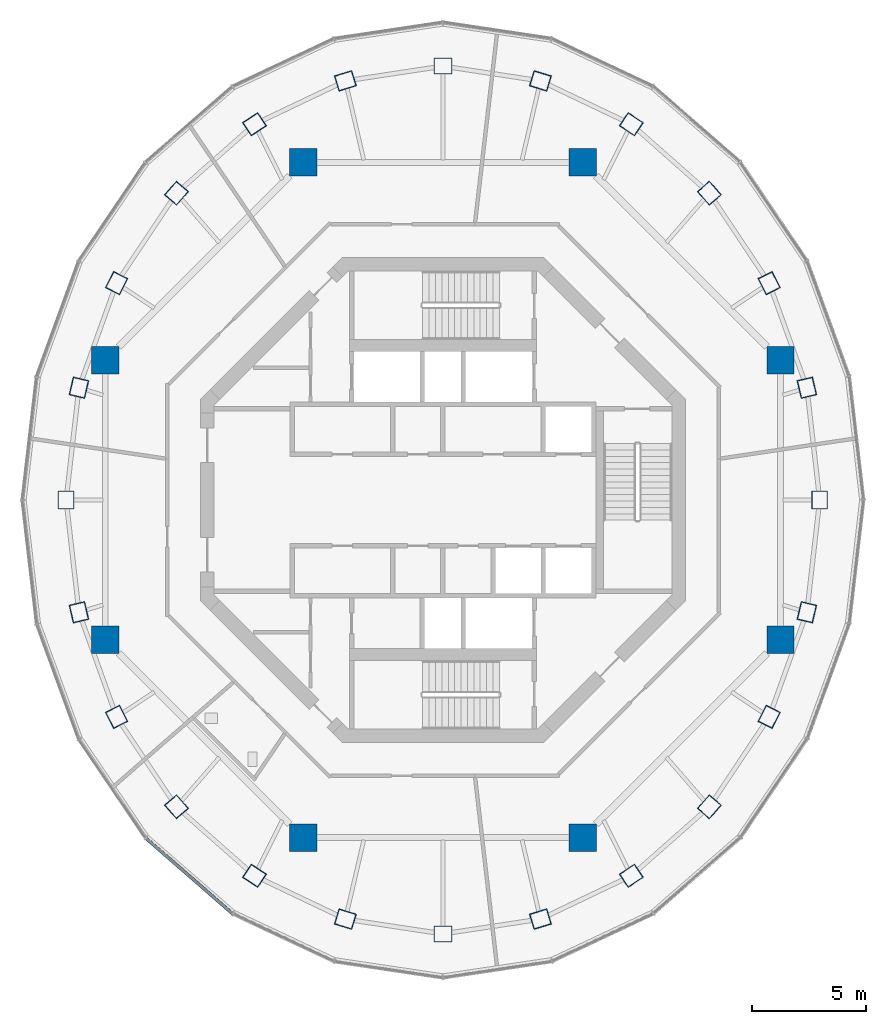
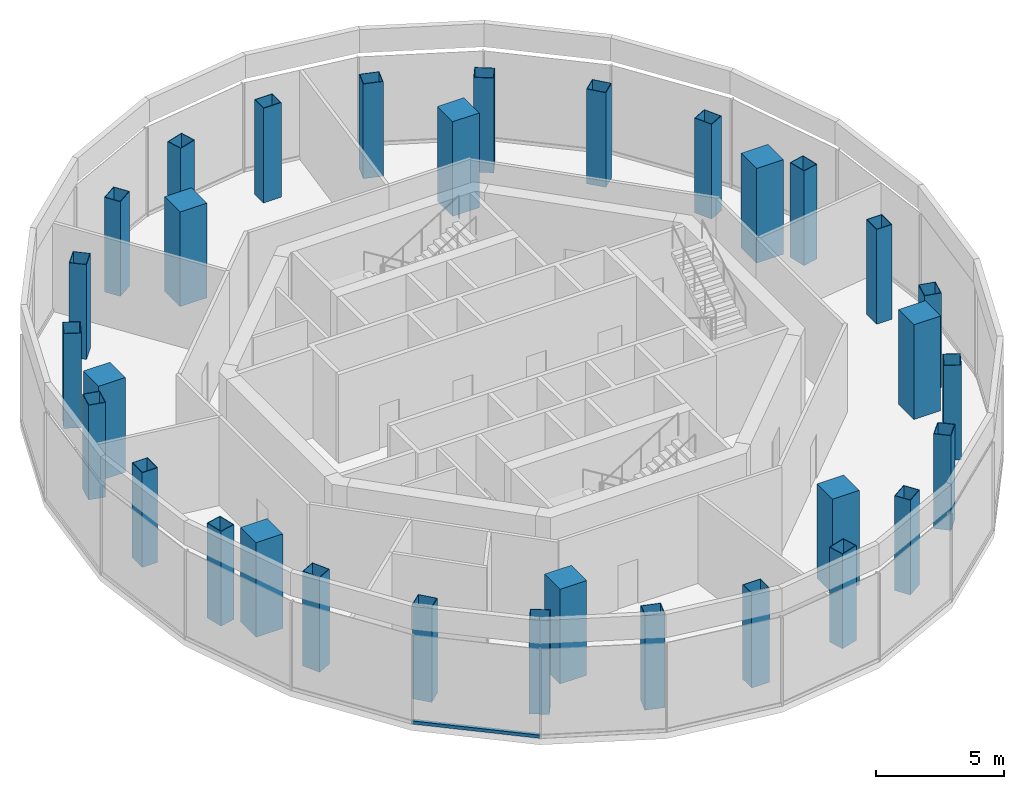
# One storey, part 1 of 11: 32 columns, 1 member, 1 element without a shape of its own.
"""IFC4 building model written with IfcOpenShell, lengths in metres."""

from ifc_helpers import new_model, si_unit, direction, frame, origin, origin_2d, place, context, subcontext, project, spatial, rectangle, hollow_rectangle, extrude, material, layer, layer_set, material_profile, profile_set, type_object, element, aggregate, save


model = new_model("IFC4")

# Units and contexts
model_context = context("Model", 3, precision=1e-05, world=origin(), true_north=direction((0.0, 1.0)))
body_context = subcontext(model_context, "Body", "Model", "MODEL_VIEW")
ifc_project = project(units=[si_unit("LENGTHUNIT", "METRE"), si_unit("AREAUNIT", "SQUARE_METRE"), si_unit("VOLUMEUNIT", "CUBIC_METRE"), si_unit("PLANEANGLEUNIT", "RADIAN"), si_unit("MASSUNIT", "GRAM", prefix="KILO")], contexts=[model_context])

# Site, building, storey
site_placement = place(None, origin())
site = spatial("IfcSite", under=ifc_project, at=site_placement, CompositionType="ELEMENT")
building_placement = place(site_placement, origin())
building = spatial("IfcBuilding", under=site, at=building_placement, Name="Nagisa Residences", CompositionType="ELEMENT")
storey_placement = place(building_placement, frame((0.0, 0.0, 320.39990234375)))
storey = spatial("IfcBuildingStorey", under=building, at=storey_placement, Name="L79", CompositionType="ELEMENT", Elevation=320.39990234375)

# Columns
ifc_material_1 = material(Name="Concrete C80", Category="concrete")
ifc_material_profile_1 = material_profile(ifc_material_1, rectangle(XDim=1.199951171875, YDim=1.199951171875, at=origin_2d()), Name="C80 1200x1200")
ifc_profile_set_1 = profile_set([ifc_material_profile_1], Name="Concrete C80")
column_type_1 = type_object("IfcColumnType", Name="Inner megacolumn C80 1200x1200", PredefinedType="COLUMN", material=ifc_profile_set_1)
for number, where, z_axis, x_axis, name in (
    (1, (14.781982421875, 6.123046875, 0.0), (0.0, 0.0, 1.0), (1.0, 0.0, 0.0), "col:L79:i1"),
    (2, (6.123046875, 14.781982421875, 0.0), (0.0, 0.0, 1.0), (1.0, 0.0, 0.0), "col:L79:i2"),
    (3, (-6.123046875, 14.781982421875, 0.0), (0.0, 0.0, 1.0), (1.0, 0.0, 0.0), "col:L79:i3"),
    (4, (-14.781982421875, 6.123046875, 0.0), (0.0, 0.0, 1.0), (1.0, 0.0, 0.0), "col:L79:i4"),
    (5, (-14.781982421875, -6.123046875, 0.0), (0.0, 0.0, 1.0), (1.0, 0.0, 0.0), "col:L79:i5"),
    (6, (-6.123046875, -14.781982421875, 0.0), (0.0, 0.0, 1.0), (1.0, 0.0, 0.0), "col:L79:i6"),
    (7, (6.123046875, -14.781982421875, 0.0), (0.0, 0.0, 1.0), (1.0, 0.0, 0.0), "col:L79:i7"),
    (8, (14.781982421875, -6.123046875, 0.0), (0.0, 0.0, 1.0), (1.0, 0.0, 0.0), "col:L79:i8"),
):
    element("IfcColumn", number, at=place(storey_placement, frame(where, z_axis=z_axis, x_axis=x_axis)), inside=storey, type_object=column_type_1, Name=name, PredefinedType="COLUMN", context=body_context, shape_type="SweptSolid", body=[
        extrude(rectangle(XDim=1.199951171875, YDim=1.199951171875, at=origin_2d()), origin(), (0.0, 0.0, 1.0), 4.5),
    ])
ifc_material_2 = material(Name="Steel ASTM A572 Gr 50", Category="steel")
ifc_material_profile_2 = material_profile(ifc_material_2, hollow_rectangle(XDim=0.800048828125, YDim=0.699951171875, WallThickness=0.02490234375, at=origin_2d()), Name="BX 800x700x25")
ifc_profile_set_2 = profile_set([ifc_material_profile_2], Name="Steel ASTM A572 Gr 50")
column_type_2 = type_object("IfcColumnType", Name="Perimeter column BX 800x700x25", PredefinedType="COLUMN", material=ifc_profile_set_2)
for number, where, z_axis, x_axis, name in (
    (9, (16.5, 0.0, 0.0), (0.0, 0.0, 1.0), (0.0, 1.0, 0.0), "col:L79:p00"),
    (10, (15.937744140625, 4.91748046875, 0.0), (0.0, 0.0, 1.0), (-0.227472858308, 0.973784421077, 0.0), "col:L79:p01"),
    (11, (14.289306640625, 9.5, 0.0), (0.0, 0.0, 1.0), (-0.449592304298, 0.893233877502, 0.0), "col:L79:p02"),
    (12, (11.667236328125, 13.43505859375, 0.0), (0.0, 0.0, 1.0), (-0.657135200433, 0.753772729907, 0.0), "col:L79:p03"),
    (13, (8.25, 16.45458984375, 0.0), (0.0, 0.0, 1.0), (-0.833744136063, 0.552150989839, 0.0), "col:L79:p04"),
    (14, (4.2705078125, 18.3525390625, 0.0), (0.0, 0.0, 1.0), (-0.955869996667, 0.293789975104, 0.0), "col:L79:p05"),
    (15, (0.0, 19.0, 0.0), (0.0, 0.0, 1.0), (-1.0, 0.0, 0.0), "col:L79:p06"),
    (16, (-4.2705078125, 18.3525390625, 0.0), (0.0, 0.0, 1.0), (-0.955869996667, -0.293789975104, 0.0), "col:L79:p07"),
    (17, (-8.25, 16.45458984375, 0.0), (0.0, 0.0, 1.0), (-0.833744136063, -0.552150989839, 0.0), "col:L79:p08"),
    (18, (-11.667236328125, 13.43505859375, 0.0), (0.0, 0.0, 1.0), (-0.657135200433, -0.753772729907, 0.0), "col:L79:p09"),
    (19, (-14.289306640625, 9.5, 0.0), (0.0, 0.0, 1.0), (-0.449592304298, -0.893233877502, 0.0), "col:L79:p10"),
    (20, (-15.937744140625, 4.91748046875, 0.0), (0.0, 0.0, 1.0), (-0.227472858308, -0.973784421077, 0.0), "col:L79:p11"),
    (21, (-16.5, 0.0, 0.0), (0.0, 0.0, 1.0), (0.0, -1.0, 0.0), "col:L79:p12"),
    (22, (-15.937744140625, -4.91748046875, 0.0), (0.0, 0.0, 1.0), (0.227472858308, -0.973784421077, 0.0), "col:L79:p13"),
    (23, (-14.289306640625, -9.5, 0.0), (0.0, 0.0, 1.0), (0.449592304298, -0.893233877502, 0.0), "col:L79:p14"),
    (24, (-11.667236328125, -13.43505859375, 0.0), (0.0, 0.0, 1.0), (0.657135200433, -0.753772729907, 0.0), "col:L79:p15"),
    (25, (-8.25, -16.45458984375, 0.0), (0.0, 0.0, 1.0), (0.833744136063, -0.552150989839, 0.0), "col:L79:p16"),
    (26, (-4.2705078125, -18.3525390625, 0.0), (0.0, 0.0, 1.0), (0.955869996667, -0.293789975104, 0.0), "col:L79:p17"),
    (27, (0.0, -19.0, 0.0), (0.0, 0.0, 1.0), (1.0, 0.0, 0.0), "col:L79:p18"),
    (28, (4.2705078125, -18.3525390625, 0.0), (0.0, 0.0, 1.0), (0.955869996667, 0.293789975104, 0.0), "col:L79:p19"),
    (29, (8.25, -16.45458984375, 0.0), (0.0, 0.0, 1.0), (0.833744136063, 0.552150989839, 0.0), "col:L79:p20"),
    (30, (11.667236328125, -13.43505859375, 0.0), (0.0, 0.0, 1.0), (0.657135200433, 0.753772729907, 0.0), "col:L79:p21"),
    (31, (14.289306640625, -9.5, 0.0), (0.0, 0.0, 1.0), (0.449592304298, 0.893233877502, 0.0), "col:L79:p22"),
    (32, (15.937744140625, -4.91748046875, 0.0), (0.0, 0.0, 1.0), (0.227472858308, 0.973784421077, 0.0), "col:L79:p23"),
):
    element("IfcColumn", number, at=place(storey_placement, frame(where, z_axis=z_axis, x_axis=x_axis)), inside=storey, type_object=column_type_2, Name=name, PredefinedType="COLUMN", context=body_context, shape_type="SweptSolid", body=[
        extrude(hollow_rectangle(XDim=0.800048828125, YDim=0.699951171875, WallThickness=0.02490234375, at=origin_2d()), origin(), (0.0, 0.0, 1.0), 4.5),
    ])

# Curtain wall, member
ifc_material_3 = material(Name="Aluminium curtain wall system", Category="aluminium")
ifc_layer = layer(ifc_material_3, 0.159912109375)
ifc_layer_set = layer_set([ifc_layer], Name="CW4 CURTAIN WALL")
curtain_wall_type = type_object("IfcCurtainWallType", Name="CW4 CURTAIN WALL", PredefinedType="NOTDEFINED", material=ifc_layer_set)
curtain_wall_placement = place(storey_placement, origin())
curtain_wall = element("IfcCurtainWall", 33, at=curtain_wall_placement, inside=storey, type_object=curtain_wall_type, Name="cw:CW4:L79:15", PredefinedType="NOTDEFINED")
ifc_material_4 = material(Name="Aluminium", Category="aluminium")
ifc_material_profile_3 = material_profile(ifc_material_4, rectangle(XDim=0.139892578125, YDim=0.14990234375, at=origin_2d()), Name="CW4 TRANSOM 140x150")
ifc_profile_set_3 = profile_set([ifc_material_profile_3], Name="Aluminium")
member_type = type_object("IfcMemberType", Name="CW4 TRANSOM 140x150", PredefinedType="USERDEFINED", material=ifc_profile_set_3)
member_placement = place(storey_placement, frame((-13.029052734375, -14.788818359375, 0.0751953125), z_axis=(0.754057031444, -0.656808947358, 0.0), x_axis=(0.656808947358, 0.754057031444, 0.0)))
member = element("IfcMember", 34, at=member_placement, type_object=member_type, Name="CW4 transom", ObjectType="TRANSOM", PredefinedType="USERDEFINED", context=body_context, shape_type="SweptSolid", body=[
    extrude(rectangle(XDim=0.139892578125, YDim=0.14990234375, at=origin_2d()), origin(), (0.0, 0.0, 1.0), 5.081298828125),
])
aggregate(curtain_wall, [member])

save(model, "model.ifc")
